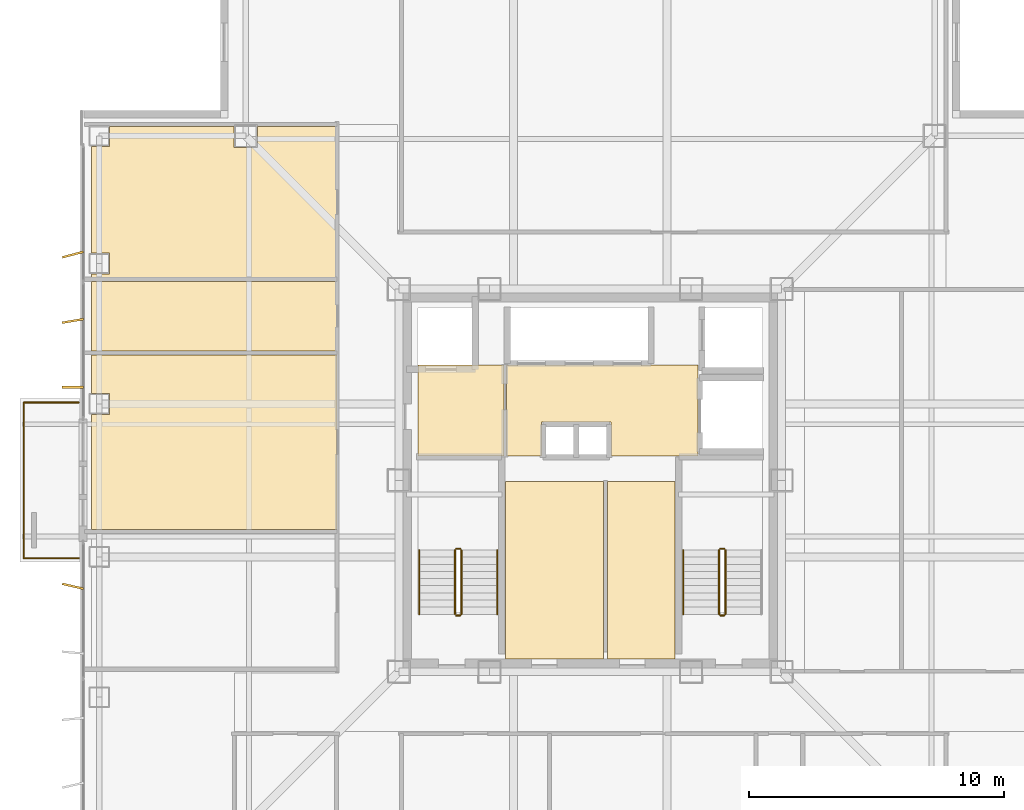
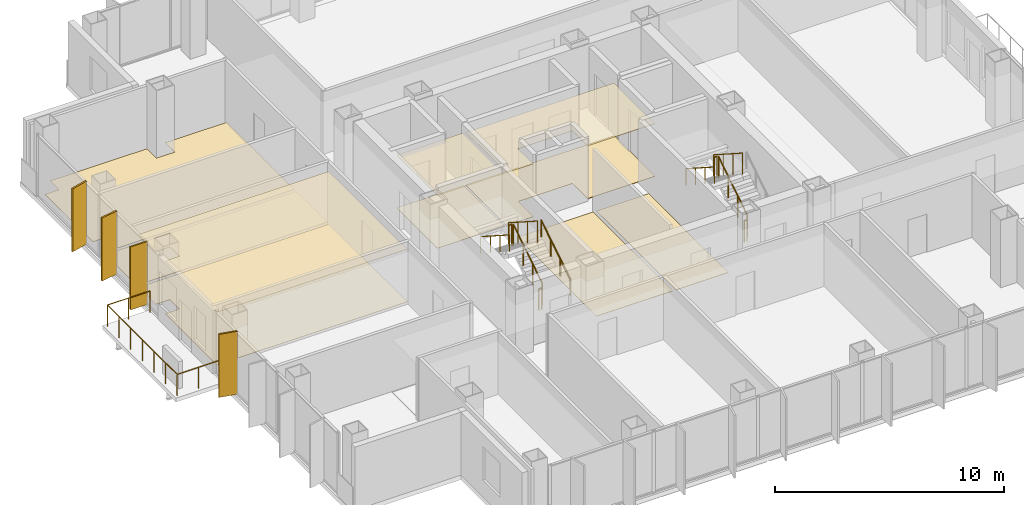
# One storey, part 14 of 15: 14 railings, 10 coverings, 4 shading devices.
"""IFC4 building model written with IfcOpenShell, lengths in metres."""

from ifc_helpers import new_model, si_unit, direction, frame, origin, origin_2d, place, context, subcontext, project, spatial, polyline, rectangle, circle, outline, extrude, material, layer, layer_set, type_object, element, save


model = new_model("IFC4")

# Units and contexts
model_context = context("Model", 3, precision=1e-05, world=origin(), true_north=direction((0.0, 1.0)))
body_context = subcontext(model_context, "Body", "Model", "MODEL_VIEW")
ifc_project = project(units=[si_unit("LENGTHUNIT", "METRE"), si_unit("AREAUNIT", "SQUARE_METRE"), si_unit("VOLUMEUNIT", "CUBIC_METRE"), si_unit("PLANEANGLEUNIT", "RADIAN"), si_unit("MASSUNIT", "GRAM", prefix="KILO")], contexts=[model_context])

# Site, building, storey
site_placement = place(None, origin())
site = spatial("IfcSite", under=ifc_project, at=site_placement, CompositionType="ELEMENT")
building_placement = place(site_placement, origin())
building = spatial("IfcBuilding", under=site, at=building_placement, Name="Trevonay Congress Spire", CompositionType="ELEMENT")
storey_placement = place(building_placement, frame((0.0, 0.0, 216.60009765625)))
storey = spatial("IfcBuildingStorey", under=building, at=storey_placement, Name="L56", CompositionType="ELEMENT", Elevation=216.60009765625)

# Coverings
ifc_material_1 = material(Name="Acoustic Mineral Fibre Board", Category="gypsum")
ifc_layer_1 = layer(ifc_material_1, 0.02490234375, Name="Acoustic Mineral Fibre Board")
ifc_layer_set_1 = layer_set([ifc_layer_1], Name="Acoustic Mineral Fibre Board")
covering_type_1 = type_object("IfcCoveringType", Name="COV-CEIL-ACOUSTIC", PredefinedType="CEILING", material=ifc_layer_set_1)
covering_1_placement = place(storey_placement, frame((0.0, 0.0, 2.809814453125)))
element("IfcCovering", 1, at=covering_1_placement, inside=storey, type_object=covering_type_1, Name="L56 Firefighting Lift Lobby West acoustic suspended ceiling", PredefinedType="CEILING", context=body_context, shape_type="SweptSolid", body=[
    extrude(outline(polyline([(-6.75, 0.9599609375), (-3.3798828125, 0.9599609375), (-3.3798828125, 4.52001953125), (-6.75, 4.52001953125), (-6.75, 0.9599609375)])), origin(), (0.0, 0.0, 1.0), 0.025146484375),
])
covering_2_placement = place(storey_placement, frame((0.0, 0.0, 2.809814453125)))
element("IfcCovering", 2, at=covering_2_placement, inside=storey, type_object=covering_type_1, Name="L56 Central and High-Rise Passenger Lift Lobby acoustic suspended ceiling", PredefinedType="CEILING", context=body_context, shape_type="SweptSolid", body=[
    extrude(outline(polyline([(-3.280029296875, 0.949951171875), (-1.919921875, 0.949951171875), (-1.919921875, 2.280029296875), (0.820068359375, 2.280029296875), (0.820068359375, 0.949951171875), (4.219970703125, 0.949951171875), (4.219970703125, 4.52001953125), (-3.280029296875, 4.52001953125), (-3.280029296875, 0.949951171875)])), origin(), (0.0, 0.0, 1.0), 0.025146484375),
])
covering_3_placement = place(storey_placement, frame((0.0, 0.0, 2.809814453125)))
element("IfcCovering", 3, at=covering_3_placement, inside=storey, type_object=covering_type_1, Name="L56 Investor Relations Office acoustic suspended ceiling", PredefinedType="CEILING", context=body_context, shape_type="SweptSolid", body=[
    extrude(outline(polyline([(-19.550048828125, 4.919921875), (-9.929931640625, 4.919921875), (-9.929931640625, -1.919921875), (-19.550048828125, -1.919921875), (-19.550048828125, 2.590087890625), (-18.840087890625, 2.590087890625), (-18.840087890625, 3.409912109375), (-19.550048828125, 3.409912109375), (-19.550048828125, 4.919921875)])), origin(), (0.0, 0.0, 1.0), 0.025146484375),
])
ifc_material_2 = material(Name="Polished Granite Floor Tile", Category="masonry")
ifc_layer_2 = layer(ifc_material_2, 0.02001953125, Name="Polished Granite Floor Tile")
ifc_layer_set_2 = layer_set([ifc_layer_2], Name="Polished Granite Floor Tile")
covering_type_2 = type_object("IfcCoveringType", Name="COV-FLOOR-STONE", PredefinedType="FLOORING", material=ifc_layer_set_2)
covering_4_placement = place(storey_placement, origin())
element("IfcCovering", 4, at=covering_4_placement, inside=storey, type_object=covering_type_2, Name="L56 Firefighting Lift Lobby West floor finish", PredefinedType="FLOORING", context=body_context, shape_type="SweptSolid", body=[
    extrude(outline(polyline([(-6.75, 0.9599609375), (-3.3798828125, 0.9599609375), (-3.3798828125, 4.52001953125), (-6.75, 4.52001953125), (-6.75, 0.9599609375)])), origin(), (0.0, 0.0, 1.0), 0.02001953125),
])
covering_5_placement = place(storey_placement, origin())
element("IfcCovering", 5, at=covering_5_placement, inside=storey, type_object=covering_type_2, Name="L56 Central and High-Rise Passenger Lift Lobby floor finish", PredefinedType="FLOORING", context=body_context, shape_type="SweptSolid", body=[
    extrude(outline(polyline([(-3.280029296875, 0.949951171875), (-1.919921875, 0.949951171875), (-1.919921875, 2.280029296875), (0.820068359375, 2.280029296875), (0.820068359375, 0.949951171875), (4.219970703125, 0.949951171875), (4.219970703125, 4.52001953125), (-3.280029296875, 4.52001953125), (-3.280029296875, 0.949951171875)])), origin(), (0.0, 0.0, 1.0), 0.02001953125),
])
covering_6_placement = place(storey_placement, origin())
element("IfcCovering", 6, at=covering_6_placement, inside=storey, type_object=covering_type_2, Name="L56 Core Electrical Sub-Board Room floor finish", PredefinedType="FLOORING", context=body_context, shape_type="SweptSolid", body=[
    extrude(outline(polyline([(-3.320068359375, -7.0), (0.52001953125, -7.0), (0.52001953125, -0.050048828125), (-3.320068359375, -0.050048828125), (-3.320068359375, -7.0)])), origin(), (0.0, 0.0, 1.0), 0.02001953125),
])
covering_7_placement = place(storey_placement, origin())
element("IfcCovering", 7, at=covering_7_placement, inside=storey, type_object=covering_type_2, Name="L56 Cleaner and Housekeeping Store floor finish", PredefinedType="FLOORING", context=body_context, shape_type="SweptSolid", body=[
    extrude(outline(polyline([(0.679931640625, -7.0), (3.320068359375, -7.0), (3.320068359375, -0.050048828125), (0.679931640625, -0.050048828125), (0.679931640625, -7.0)])), origin(), (0.0, 0.0, 1.0), 0.02001953125),
])
covering_8_placement = place(storey_placement, origin())
element("IfcCovering", 8, at=covering_8_placement, inside=storey, type_object=covering_type_2, Name="L56 Male Restroom WC floor finish", PredefinedType="FLOORING", context=body_context, shape_type="SweptSolid", body=[
    extrude(outline(polyline([(-19.550048828125, 5.080078125), (-9.929931640625, 5.080078125), (-9.929931640625, 7.800048828125), (-19.550048828125, 7.800048828125), (-19.550048828125, 5.080078125)])), origin(), (0.0, 0.0, 1.0), 0.02001953125),
])
covering_9_placement = place(storey_placement, origin())
element("IfcCovering", 9, at=covering_9_placement, inside=storey, type_object=covering_type_2, Name="L56 Floor Supplies and Copy Room floor finish", PredefinedType="FLOORING", context=body_context, shape_type="SweptSolid", body=[
    extrude(outline(polyline([(-9.929931640625, 13.8701171875), (-9.929931640625, 7.9599609375), (-19.550048828125, 7.9599609375), (-19.550048828125, 8.090087890625), (-18.840087890625, 8.090087890625), (-18.840087890625, 8.909912109375), (-19.550048828125, 8.909912109375), (-19.550048828125, 13.090087890625), (-18.840087890625, 13.090087890625), (-18.840087890625, 13.8701171875), (-13.9599609375, 13.8701171875), (-13.9599609375, 13.0400390625), (-13.0400390625, 13.0400390625), (-13.0400390625, 13.8701171875), (-9.929931640625, 13.8701171875)])), origin(), (0.0, 0.0, 1.0), 0.02001953125),
])
ifc_material_3 = material(Name="Engineered Oak Flooring", Category="wood")
ifc_layer_3 = layer(ifc_material_3, 0.01806640625, Name="Engineered Oak Flooring")
ifc_layer_set_3 = layer_set([ifc_layer_3], Name="Engineered Oak Flooring")
covering_type_3 = type_object("IfcCoveringType", Name="COV-FLOOR-TIMBER", PredefinedType="FLOORING", material=ifc_layer_set_3)
covering_10_placement = place(storey_placement, origin())
element("IfcCovering", 10, at=covering_10_placement, inside=storey, type_object=covering_type_3, Name="L56 Investor Relations Office floor finish", PredefinedType="FLOORING", context=body_context, shape_type="SweptSolid", body=[
    extrude(outline(polyline([(-19.550048828125, 4.919921875), (-9.929931640625, 4.919921875), (-9.929931640625, -1.919921875), (-19.550048828125, -1.919921875), (-19.550048828125, 2.590087890625), (-18.840087890625, 2.590087890625), (-18.840087890625, 3.409912109375), (-19.550048828125, 3.409912109375), (-19.550048828125, 4.919921875)])), origin(), (0.0, 0.0, 1.0), 0.017822265625),
])

# Railings
ifc_material_4 = material(Name="Pale Anodised Aluminium EN AW-6063-T6", Category="aluminium")
railing_type_1 = type_object("IfcRailingType", Name="RAL-EXT-GUARD-115", PredefinedType="GUARDRAIL", material=ifc_material_4)
railing_1_placement = place(storey_placement, frame((-20.050048828125, -3.050048828125, 0.0)))
element("IfcRailing", 11, at=railing_1_placement, inside=storey, type_object=railing_type_1, Name="L56 perimeter safety guard GRD-L56-TBAL-W-1", PredefinedType="GUARDRAIL", context=body_context, shape_type="SweptSolid", body=[
    extrude(circle(Radius=0.02392578125, at=origin_2d()), frame((0.0, 0.0, 1.1259765625), z_axis=(-1.0, 0.0, 0.0), x_axis=(0.0, -1.0, 0.0)), (0.0, 0.0, 1.0), 2.14990234375),
    extrude(circle(Radius=0.02099609375, at=origin_2d()), origin(), (0.0, 0.0, 1.0), 1.101806640625),
    extrude(circle(Radius=0.02099609375, at=origin_2d()), frame((-1.074951171875, 0.0, 0.0)), (0.0, 0.0, 1.0), 1.101806640625),
    extrude(circle(Radius=0.02099609375, at=origin_2d()), frame((-2.14990234375, 0.0, 0.0)), (0.0, 0.0, 1.0), 1.101806640625),
])
railing_2_placement = place(storey_placement, frame((-22.199951171875, -3.050048828125, 0.0)))
element("IfcRailing", 12, at=railing_2_placement, inside=storey, type_object=railing_type_1, Name="L56 perimeter safety guard GRD-L56-TBAL-W-2", PredefinedType="GUARDRAIL", context=body_context, shape_type="SweptSolid", body=[
    extrude(circle(Radius=0.02392578125, at=origin_2d()), frame((0.0, 0.0, 1.1259765625), z_axis=(0.0, 1.0, 0.0), x_axis=(-1.0, 0.0, 0.0)), (0.0, 0.0, 1.0), 6.10009765625),
    extrude(circle(Radius=0.02099609375, at=origin_2d()), origin(), (0.0, 0.0, 1.0), 1.101806640625),
    extrude(circle(Radius=0.02099609375, at=origin_2d()), frame((0.0, 1.0166015625, 0.0)), (0.0, 0.0, 1.0), 1.101806640625),
    extrude(circle(Radius=0.02099609375, at=origin_2d()), frame((0.0, 2.033447265625, 0.0)), (0.0, 0.0, 1.0), 1.101806640625),
    extrude(circle(Radius=0.02099609375, at=origin_2d()), frame((0.0, 3.050048828125, 0.0)), (0.0, 0.0, 1.0), 1.101806640625),
    extrude(circle(Radius=0.02099609375, at=origin_2d()), frame((0.0, 4.066650390625, 0.0)), (0.0, 0.0, 1.0), 1.101806640625),
    extrude(circle(Radius=0.02099609375, at=origin_2d()), frame((0.0, 5.08349609375, 0.0)), (0.0, 0.0, 1.0), 1.101806640625),
    extrude(circle(Radius=0.02099609375, at=origin_2d()), frame((0.0, 6.10009765625, 0.0)), (0.0, 0.0, 1.0), 1.101806640625),
])
railing_3_placement = place(storey_placement, frame((-22.199951171875, 3.050048828125, 0.0)))
element("IfcRailing", 13, at=railing_3_placement, inside=storey, type_object=railing_type_1, Name="L56 perimeter safety guard GRD-L56-TBAL-W-3", PredefinedType="GUARDRAIL", context=body_context, shape_type="SweptSolid", body=[
    extrude(circle(Radius=0.02392578125, at=origin_2d()), frame((0.0, 0.0, 1.1259765625), z_axis=(1.0, 0.0, 0.0), x_axis=(0.0, 1.0, 0.0)), (0.0, 0.0, 1.0), 2.14990234375),
    extrude(circle(Radius=0.02099609375, at=origin_2d()), origin(), (0.0, 0.0, 1.0), 1.101806640625),
    extrude(circle(Radius=0.02099609375, at=origin_2d()), frame((1.074951171875, 0.0, 0.0)), (0.0, 0.0, 1.0), 1.101806640625),
    extrude(circle(Radius=0.02099609375, at=origin_2d()), frame((2.14990234375, 0.0, 0.0)), (0.0, 0.0, 1.0), 1.101806640625),
])
railing_type_2 = type_object("IfcRailingType", Name="RAL-STAIR-GUARD-110", PredefinedType="GUARDRAIL", material=ifc_material_4)
railing_4_placement = place(storey_placement, frame((-5.050048828125, -5.25, 0.179931640625)))
element("IfcRailing", 14, at=railing_4_placement, inside=storey, type_object=railing_type_2, Name="L56 ST-1 stair guard 1", PredefinedType="GUARDRAIL", context=body_context, shape_type="SweptSolid", body=[
    extrude(circle(Radius=0.02392578125, at=origin_2d()), frame((0.0, 0.0, 1.1259765625), z_axis=(0.0, 0.841199657755, 0.540724639528), x_axis=(-1.0, 0.0, 0.0)), (0.0, 0.0, 1.0), 2.995849609375),
    extrude(circle(Radius=0.02099609375, at=origin_2d()), origin(), (0.0, 0.0, 1.0), 1.101806640625),
    extrude(circle(Radius=0.02099609375, at=origin_2d()), frame((0.0, 0.840087890625, 0.5400390625)), (0.0, 0.0, 1.0), 1.101806640625),
    extrude(circle(Radius=0.02099609375, at=origin_2d()), frame((0.0, 1.679931640625, 1.079833984375)), (0.0, 0.0, 1.0), 1.101806640625),
    extrude(circle(Radius=0.02099609375, at=origin_2d()), frame((0.0, 2.52001953125, 1.619873046875)), (0.0, 0.0, 1.0), 1.101806640625),
])
railing_5_placement = place(storey_placement, frame((-5.10009765625, -2.679931640625, 1.7998046875)))
element("IfcRailing", 15, at=railing_5_placement, inside=storey, type_object=railing_type_2, Name="L56 ST-1 stair guard 2", PredefinedType="GUARDRAIL", context=body_context, shape_type="SweptSolid", body=[
    extrude(circle(Radius=0.02392578125, at=origin_2d()), frame((0.0, 0.0, 1.1259765625), z_axis=(-1.0, 0.0, 0.0), x_axis=(0.0, -1.0, 0.0)), (0.0, 0.0, 1.0), 0.14990234375),
    extrude(circle(Radius=0.02099609375, at=origin_2d()), origin(), (0.0, 0.0, 1.0), 1.101806640625),
    extrude(circle(Radius=0.02099609375, at=origin_2d()), frame((-0.14990234375, 0.0, 0.0)), (0.0, 0.0, 1.0), 1.101806640625),
])
railing_6_placement = place(storey_placement, frame((-5.300048828125, -2.72998046875, 1.97998046875)))
element("IfcRailing", 16, at=railing_6_placement, inside=storey, type_object=railing_type_2, Name="L56 ST-1 stair guard 3", PredefinedType="GUARDRAIL", context=body_context, shape_type="SweptSolid", body=[
    extrude(circle(Radius=0.02392578125, at=origin_2d()), frame((0.0, 0.0, 1.1259765625), z_axis=(0.0, -0.841199657755, 0.540724639528), x_axis=(1.0, 0.0, 0.0)), (0.0, 0.0, 1.0), 2.995849609375),
    extrude(circle(Radius=0.02099609375, at=origin_2d()), origin(), (0.0, 0.0, 1.0), 1.101806640625),
    extrude(circle(Radius=0.02099609375, at=origin_2d()), frame((0.0, -0.840087890625, 0.5400390625)), (0.0, 0.0, 1.0), 1.101806640625),
    extrude(circle(Radius=0.02099609375, at=origin_2d()), frame((0.0, -1.679931640625, 1.079833984375)), (0.0, 0.0, 1.0), 1.101806640625),
    extrude(circle(Radius=0.02099609375, at=origin_2d()), frame((0.0, -2.52001953125, 1.619873046875)), (0.0, 0.0, 1.0), 1.101806640625),
])
railing_7_placement = place(storey_placement, frame((-5.10009765625, -5.300048828125, 0.0)))
element("IfcRailing", 17, at=railing_7_placement, inside=storey, type_object=railing_type_2, Name="L56 ST-1 stair guard 4", PredefinedType="GUARDRAIL", context=body_context, shape_type="SweptSolid", body=[
    extrude(circle(Radius=0.02392578125, at=origin_2d()), frame((0.0, 0.0, 1.1259765625), z_axis=(-1.0, 0.0, 0.0), x_axis=(0.0, -1.0, 0.0)), (0.0, 0.0, 1.0), 0.14990234375),
    extrude(circle(Radius=0.02099609375, at=origin_2d()), origin(), (0.0, 0.0, 1.0), 1.101806640625),
    extrude(circle(Radius=0.02099609375, at=origin_2d()), frame((-0.14990234375, 0.0, 0.0)), (0.0, 0.0, 1.0), 1.101806640625),
])
railing_8_placement = place(storey_placement, frame((5.300048828125, -5.25, 0.179931640625)))
element("IfcRailing", 18, at=railing_8_placement, inside=storey, type_object=railing_type_2, Name="L56 ST-2 stair guard 1", PredefinedType="GUARDRAIL", context=body_context, shape_type="SweptSolid", body=[
    extrude(circle(Radius=0.02392578125, at=origin_2d()), frame((0.0, 0.0, 1.1259765625), z_axis=(0.0, 0.841199657755, 0.540724639528), x_axis=(-1.0, 0.0, 0.0)), (0.0, 0.0, 1.0), 2.995849609375),
    extrude(circle(Radius=0.02099609375, at=origin_2d()), origin(), (0.0, 0.0, 1.0), 1.101806640625),
    extrude(circle(Radius=0.02099609375, at=origin_2d()), frame((0.0, 0.840087890625, 0.5400390625)), (0.0, 0.0, 1.0), 1.101806640625),
    extrude(circle(Radius=0.02099609375, at=origin_2d()), frame((0.0, 1.679931640625, 1.079833984375)), (0.0, 0.0, 1.0), 1.101806640625),
    extrude(circle(Radius=0.02099609375, at=origin_2d()), frame((0.0, 2.52001953125, 1.619873046875)), (0.0, 0.0, 1.0), 1.101806640625),
])
railing_9_placement = place(storey_placement, frame((5.25, -2.679931640625, 1.7998046875)))
element("IfcRailing", 19, at=railing_9_placement, inside=storey, type_object=railing_type_2, Name="L56 ST-2 stair guard 2", PredefinedType="GUARDRAIL", context=body_context, shape_type="SweptSolid", body=[
    extrude(circle(Radius=0.02392578125, at=origin_2d()), frame((0.0, 0.0, 1.1259765625), z_axis=(-1.0, 0.0, 0.0), x_axis=(0.0, -1.0, 0.0)), (0.0, 0.0, 1.0), 0.14990234375),
    extrude(circle(Radius=0.02099609375, at=origin_2d()), origin(), (0.0, 0.0, 1.0), 1.101806640625),
    extrude(circle(Radius=0.02099609375, at=origin_2d()), frame((-0.14990234375, 0.0, 0.0)), (0.0, 0.0, 1.0), 1.101806640625),
])
railing_10_placement = place(storey_placement, frame((5.050048828125, -2.72998046875, 1.97998046875)))
element("IfcRailing", 20, at=railing_10_placement, inside=storey, type_object=railing_type_2, Name="L56 ST-2 stair guard 3", PredefinedType="GUARDRAIL", context=body_context, shape_type="SweptSolid", body=[
    extrude(circle(Radius=0.02392578125, at=origin_2d()), frame((0.0, 0.0, 1.1259765625), z_axis=(0.0, -0.841199657755, 0.540724639528), x_axis=(1.0, 0.0, 0.0)), (0.0, 0.0, 1.0), 2.995849609375),
    extrude(circle(Radius=0.02099609375, at=origin_2d()), origin(), (0.0, 0.0, 1.0), 1.101806640625),
    extrude(circle(Radius=0.02099609375, at=origin_2d()), frame((0.0, -0.840087890625, 0.5400390625)), (0.0, 0.0, 1.0), 1.101806640625),
    extrude(circle(Radius=0.02099609375, at=origin_2d()), frame((0.0, -1.679931640625, 1.079833984375)), (0.0, 0.0, 1.0), 1.101806640625),
    extrude(circle(Radius=0.02099609375, at=origin_2d()), frame((0.0, -2.52001953125, 1.619873046875)), (0.0, 0.0, 1.0), 1.101806640625),
])
railing_11_placement = place(storey_placement, frame((5.25, -5.300048828125, 0.0)))
element("IfcRailing", 21, at=railing_11_placement, inside=storey, type_object=railing_type_2, Name="L56 ST-2 stair guard 4", PredefinedType="GUARDRAIL", context=body_context, shape_type="SweptSolid", body=[
    extrude(circle(Radius=0.02392578125, at=origin_2d()), frame((0.0, 0.0, 1.1259765625), z_axis=(-1.0, 0.0, 0.0), x_axis=(0.0, -1.0, 0.0)), (0.0, 0.0, 1.0), 0.14990234375),
    extrude(circle(Radius=0.02099609375, at=origin_2d()), origin(), (0.0, 0.0, 1.0), 1.101806640625),
    extrude(circle(Radius=0.02099609375, at=origin_2d()), frame((-0.14990234375, 0.0, 0.0)), (0.0, 0.0, 1.0), 1.101806640625),
])
railing_type_3 = type_object("IfcRailingType", Name="RAL-STAIR-HANDRAIL", PredefinedType="HANDRAIL", material=ifc_material_4)
railing_12_placement = place(storey_placement, frame((-3.64990234375, -5.25, 0.179931640625)))
element("IfcRailing", 22, at=railing_12_placement, inside=storey, type_object=railing_type_3, Name="L56 ST-1 stair handrail 1", PredefinedType="HANDRAIL", context=body_context, shape_type="SweptSolid", body=[
    extrude(circle(Radius=0.02392578125, at=origin_2d()), frame((0.0, 0.0, 0.8759765625), z_axis=(0.0, 0.841199657755, 0.540724639528), x_axis=(-1.0, 0.0, 0.0)), (0.0, 0.0, 1.0), 2.995849609375),
    extrude(circle(Radius=0.02099609375, at=origin_2d()), origin(), (0.0, 0.0, 1.0), 0.851806640625),
    extrude(circle(Radius=0.02099609375, at=origin_2d()), frame((0.0, 0.840087890625, 0.5400390625)), (0.0, 0.0, 1.0), 0.851806640625),
    extrude(circle(Radius=0.02099609375, at=origin_2d()), frame((0.0, 1.679931640625, 1.079833984375)), (0.0, 0.0, 1.0), 0.851806640625),
    extrude(circle(Radius=0.02099609375, at=origin_2d()), frame((0.0, 2.52001953125, 1.619873046875)), (0.0, 0.0, 1.0), 0.851806640625),
])
for number, where, name in (
    (23, (-6.699951171875, -2.72998046875, 1.97998046875), "L56 ST-1 stair handrail 2"),
    (24, (3.64990234375, -2.72998046875, 1.97998046875), "L56 ST-2 stair handrail 2"),
):
    element("IfcRailing", number, at=place(storey_placement, frame(where)), inside=storey, type_object=railing_type_3, Name=name, PredefinedType="HANDRAIL", context=body_context, shape_type="SweptSolid", body=[
        extrude(circle(Radius=0.02392578125, at=origin_2d()), frame((0.0, 0.0, 0.8759765625), z_axis=(0.0, -0.841199657755, 0.540724639528), x_axis=(1.0, 0.0, 0.0)), (0.0, 0.0, 1.0), 2.995849609375),
        extrude(circle(Radius=0.02099609375, at=origin_2d()), origin(), (0.0, 0.0, 1.0), 0.851806640625),
        extrude(circle(Radius=0.02099609375, at=origin_2d()), frame((0.0, -0.840087890625, 0.5400390625)), (0.0, 0.0, 1.0), 0.851806640625),
        extrude(circle(Radius=0.02099609375, at=origin_2d()), frame((0.0, -1.679931640625, 1.079833984375)), (0.0, 0.0, 1.0), 0.851806640625),
        extrude(circle(Radius=0.02099609375, at=origin_2d()), frame((0.0, -2.52001953125, 1.619873046875)), (0.0, 0.0, 1.0), 0.851806640625),
    ])

# Shading devices
shading_device_type = type_object("IfcShadingDeviceType", Name="SHD-FIN-Z3-PALE-METAL", PredefinedType="USERDEFINED", material=ifc_material_4)
for number, where, z_axis, x_axis, name in (
    (25, (-20.280029296875, -4.14990234375, 0.0), (0.0, 0.0, 1.0), (0.224780991261, 0.97440931131, 0.0), "L56 W vertical pale-metal solar fin 4"),
    (26, (-20.280029296875, 3.64990234375, 0.0), (0.0, 0.0, 1.0), (0.0, 1.0, 0.0), "L56 W vertical pale-metal solar fin 7"),
    (27, (-20.280029296875, 6.25, 0.0), (0.0, 0.0, 1.0), (-0.16745706111, 0.98587937025, 0.0), "L56 W vertical pale-metal solar fin 8"),
    (28, (-20.280029296875, 8.85009765625, 0.0), (0.0, 0.0, 1.0), (-0.2549394954, 0.966957007154, 0.0), "L56 W vertical pale-metal solar fin 9"),
):
    element("IfcShadingDevice", number, at=place(storey_placement, frame(where, z_axis=z_axis, x_axis=x_axis)), inside=storey, type_object=shading_device_type, Name=name, ObjectType="SOLAR FIN", PredefinedType="USERDEFINED", context=body_context, shape_type="SweptSolid", body=[
        extrude(rectangle(XDim=0.080078125, YDim=0.85009765625, at=origin_2d()), origin(), (0.0, 0.0, 1.0), 3.360107421875),
    ])

save(model, "model.ifc")
